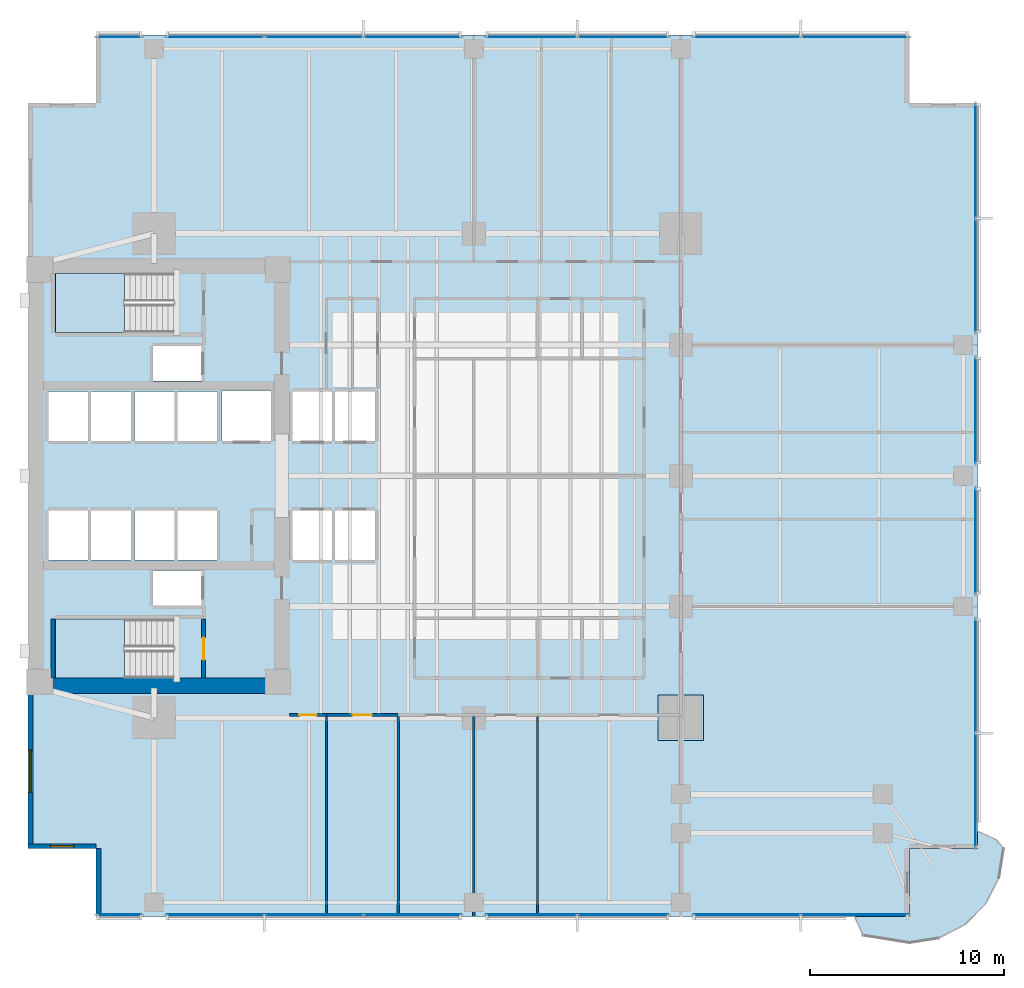
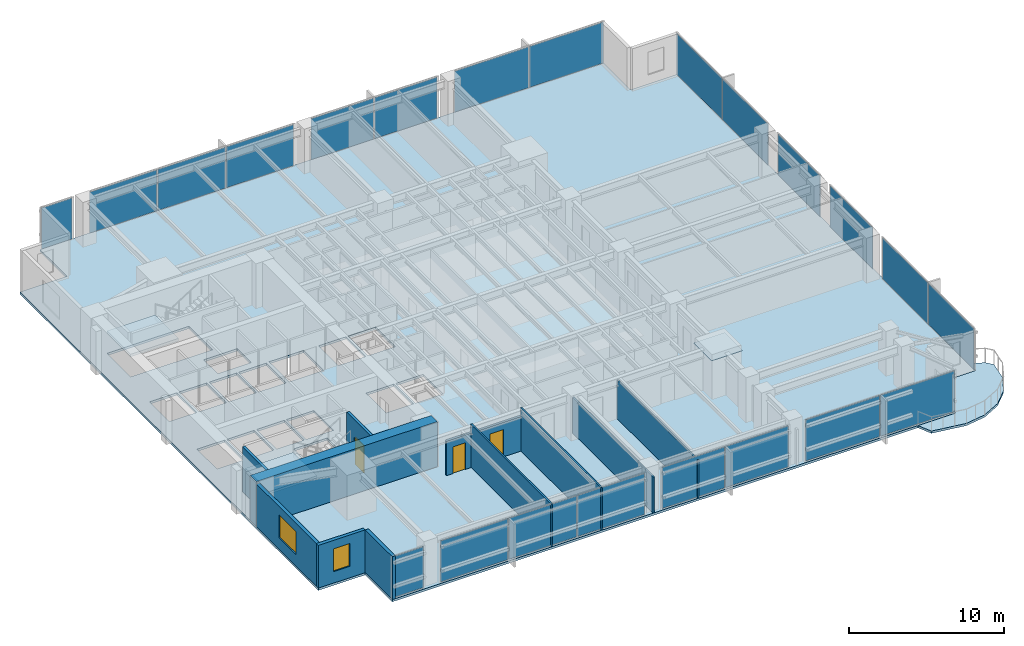
# One storey, part 7 of 15: 23 plates, 12 walls, 4 slabs, 3 doors, 2 windows, 5 openings, 14 elements without a shape of their own.
"""IFC4 building model written with IfcOpenShell, lengths in metres."""

import ifcopenshell
import ifcopenshell.guid

model = None  # the IFC model being written
_history = None  # IfcOwnerHistory: only IFC2X3 demands one
_inside = {}  # id of a spatial element -> (the spatial element, [elements in it])
_under = {}  # id of a project, library or spatial element -> (it, [spatial elements below it])
_declared = {}  # id of a project -> (the project, [libraries it declares])
_typed = {}  # id of a type object -> (the type object, [elements of that type])
_made_of = {}  # id of a material, layer set ... -> (it, [elements and type objects made of it])


def new_model(schema):
    """Start an empty IFC model of exactly this schema.

    Asked for "IFC4X3", IfcOpenShell would pick the latest addendum, in which some entities
    have other attributes; the version numbers below select the first issue.
    IFC2X3 requires an IfcOwnerHistory on every rooted entity: one is made here for all.
    """
    global model, _history
    if schema == "IFC4X3":
        model = ifcopenshell.file(schema_version=(4, 3, 0, 0))
    else:
        model = ifcopenshell.file(schema=schema)
    _inside.clear()
    _under.clear()
    _declared.clear()
    _typed.clear()
    _made_of.clear()
    _history = None
    if model.schema == "IFC2X3":
        org = make("IfcOrganization", Name="unknown")
        user = make(
            "IfcPersonAndOrganization",
            ThePerson=make("IfcPerson", FamilyName="unknown"),
            TheOrganization=org,
        )
        app = make(
            "IfcApplication",
            ApplicationDeveloper=org,
            Version="unknown",
            ApplicationFullName="unknown",
            ApplicationIdentifier="unknown",
        )
        _history = make(
            "IfcOwnerHistory",
            OwningUser=user,
            OwningApplication=app,
            ChangeAction="ADDED",
            CreationDate=0,
        )
    return model


def make(cls, **values):
    """One entity of the class cls with the attributes given. An attribute that is None is left unset."""
    return model.create_entity(
        cls, **{name: value for name, value in values.items() if value is not None}
    )


def rooted(cls, **values):
    """An entity with a GlobalId (a new one), such as an element, a storey or a relation."""
    return make(cls, GlobalId=ifcopenshell.guid.new(), OwnerHistory=_history, **values)


def si_unit(unit_type, name, prefix=None):
    """IfcSIUnit, for example si_unit("LENGTHUNIT", "METRE", prefix="MILLI")."""
    return make("IfcSIUnit", UnitType=unit_type, Prefix=prefix, Name=name)


def assignment(units):
    """IfcUnitAssignment: the units of a project."""
    return None if units is None else make("IfcUnitAssignment", Units=units)


def point(xyz):
    """IfcCartesianPoint."""
    return None if xyz is None else make("IfcCartesianPoint", Coordinates=xyz)


def direction(xyz):
    """IfcDirection."""
    return None if xyz is None else make("IfcDirection", DirectionRatios=xyz)


def frame(location, z_axis=None, x_axis=None):
    """IfcAxis2Placement3D, a coordinate frame: its origin and axes. An axis left out is left unset."""
    return make(
        "IfcAxis2Placement3D",
        Location=point(location),
        Axis=direction(z_axis),
        RefDirection=direction(x_axis),
    )


def frame_2d(location, x_axis=None):
    """IfcAxis2Placement2D, a coordinate frame in the plane: its origin and x axis."""
    return make(
        "IfcAxis2Placement2D", Location=point(location), RefDirection=direction(x_axis)
    )


def origin():
    """The frame at (0, 0, 0) with its axes left unset."""
    return frame((0.0, 0.0, 0.0))


def origin_2d():
    """The frame at (0, 0) in the plane with its x axis left unset."""
    return frame_2d((0.0, 0.0))


def place(relative_to, where):
    """IfcLocalPlacement: puts the frame where relative to a parent placement (None: the world)."""
    return make(
        "IfcLocalPlacement", PlacementRelTo=relative_to, RelativePlacement=where
    )


def context(
    kind, dimensions, precision=None, world=None, true_north=None, identifier=None
):
    """IfcGeometricRepresentationContext, for example the 3D "Model" context."""
    return make(
        "IfcGeometricRepresentationContext",
        ContextIdentifier=identifier,
        ContextType=kind,
        CoordinateSpaceDimension=dimensions,
        Precision=precision,
        WorldCoordinateSystem=world,
        TrueNorth=true_north,
    )


def subcontext(parent, identifier, kind, view, scale=None):
    """IfcGeometricRepresentationSubContext, for example "Body" below "Model"."""
    return make(
        "IfcGeometricRepresentationSubContext",
        ContextIdentifier=identifier,
        ContextType=kind,
        ParentContext=parent,
        TargetScale=scale,
        TargetView=view,
    )


def project(units=None, contexts=None):
    """IfcProject with its units and contexts."""
    return rooted(
        "IfcProject",
        Name="project",
        RepresentationContexts=contexts,
        UnitsInContext=assignment(units),
    )


def spatial(cls, under=None, at=None, **own):
    """A site, building, storey or space (cls), placed at a placement, below another one or the project."""
    s = rooted(cls, ObjectPlacement=at, **own)
    if under is not None:
        _under.setdefault(under.id(), (under, []))[1].append(s)
    return s


def polyline(points):
    """IfcPolyline through the points."""
    return make("IfcPolyline", Points=[point(p) for p in points])


def profile(cls, at=None, kind="AREA", **sizes):
    """A parametric profile (cls). Its sizes go by their IFC names, for example OverallWidth=200.0."""
    return make(cls, ProfileType=kind, Position=at, **sizes)


def rectangle(**sizes):
    """IfcRectangleProfileDef."""
    return profile("IfcRectangleProfileDef", **sizes)


def outline(outer, holes=None, kind="AREA"):
    """IfcArbitraryClosedProfileDef: a profile drawn as a closed curve; with holes, ...WithVoids."""
    if holes is None:
        return make("IfcArbitraryClosedProfileDef", ProfileType=kind, OuterCurve=outer)
    return make(
        "IfcArbitraryProfileDefWithVoids",
        ProfileType=kind,
        OuterCurve=outer,
        InnerCurves=holes,
    )


def extrude(swept, where, along, depth):
    """IfcExtrudedAreaSolid: the profile swept, set in the frame where, extruded along a direction by depth."""
    return make(
        "IfcExtrudedAreaSolid",
        SweptArea=swept,
        Position=where,
        ExtrudedDirection=direction(along),
        Depth=depth,
    )


def shape(context_of_items, identifier, shape_type, items):
    """IfcShapeRepresentation: the items that make up one representation, for example the "Body"."""
    return make(
        "IfcShapeRepresentation",
        ContextOfItems=context_of_items,
        RepresentationIdentifier=identifier,
        RepresentationType=shape_type,
        Items=items,
    )


def material(Name=None, Category=None):
    """IfcMaterial."""
    return make("IfcMaterial", Name=Name, Category=Category)


def layer(
    of_material, thickness, ventilated=None, Name=None, Category=None, Priority=None
):
    """IfcMaterialLayer: one layer of a wall or slab, of a material (None: an air gap)."""
    return make(
        "IfcMaterialLayer",
        Material=of_material,
        LayerThickness=thickness,
        IsVentilated=ventilated,
        Name=Name,
        Category=Category,
        Priority=Priority,
    )


def layer_set(layers, Name=None):
    """IfcMaterialLayerSet."""
    return make("IfcMaterialLayerSet", MaterialLayers=layers, LayerSetName=Name)


def made_of(thing, what):
    """Note that an element or type object is made of a material, layer set ...; save() writes the relation."""
    if what is not None:
        _made_of.setdefault(what.id(), (what, []))[1].append(thing)
    return thing


def type_object(cls, material=None, **own):
    """A type object (cls), such as IfcWallType, which elements share."""
    return made_of(rooted(cls, **own), material)


def element(
    cls,
    number,
    at=None,
    inside=None,
    cuts=None,
    type_object=None,
    material=None,
    context=None,
    identifier="Body",
    shape_type=None,
    held_by="IfcProductDefinitionShape",
    body=None,
    shapes=None,
    **own,
):
    """One element of the class cls, such as IfcWall. Its Tag is "e" and its number.

    at: its placement. inside: the storey or other place that contains it. cuts: it is an
    opening in that element (IfcRelVoidsElement). A single representation is given by context,
    identifier, shape_type and body (its items); several are given by shapes. held_by: the class
    of the entity that holds the representations. save() writes the other relations.
    """
    e = rooted(cls, Tag="e%d" % number, ObjectPlacement=at, **own)
    if body is not None:
        shapes = [shape(context, identifier, shape_type, body)]
    if shapes is not None:
        e.Representation = make(held_by, Representations=shapes)
    if inside is not None:
        _inside.setdefault(inside.id(), (inside, []))[1].append(e)
    if cuts is not None:
        rooted(
            "IfcRelVoidsElement", RelatingBuildingElement=cuts, RelatedOpeningElement=e
        )
    if type_object is not None:
        _typed.setdefault(type_object.id(), (type_object, []))[1].append(e)
    return made_of(e, material)


def fill(opening, filler):
    """IfcRelFillsElement: the door or window that sits in an opening."""
    return rooted(
        "IfcRelFillsElement",
        RelatingOpeningElement=opening,
        RelatedBuildingElement=filler,
    )


def aggregate(whole, parts):
    """IfcRelAggregates: a whole, such as a stair, and the parts it consists of."""
    return rooted("IfcRelAggregates", RelatingObject=whole, RelatedObjects=parts)


def save(model, path):
    """Write the relations noted so far, then the file.

    IfcRelAggregates (storeys below a building ...), IfcRelContainedInSpatialStructure (elements
    in a storey), IfcRelDefinesByType, IfcRelAssociatesMaterial and IfcRelDeclares: one each for
    every whole, place, type object, material and project.
    """
    for whole, parts in _under.values():
        aggregate(whole, parts)
    for where, things in _inside.values():
        rooted(
            "IfcRelContainedInSpatialStructure",
            RelatedElements=things,
            RelatingStructure=where,
        )
    for kind, things in _typed.values():
        rooted("IfcRelDefinesByType", RelatedObjects=things, RelatingType=kind)
    for what, things in _made_of.values():
        rooted("IfcRelAssociatesMaterial", RelatedObjects=things, RelatingMaterial=what)
    for by, libraries in _declared.values():
        rooted("IfcRelDeclares", RelatingContext=by, RelatedDefinitions=libraries)
    model.write(path)


model = new_model("IFC4")

# Units and contexts
model_context = context("Model", 3, precision=1e-05, world=origin(), true_north=direction((0.0, 1.0)))
body_context = subcontext(model_context, "Body", "Model", "MODEL_VIEW")
ifc_project = project(units=[si_unit("LENGTHUNIT", "METRE"), si_unit("AREAUNIT", "SQUARE_METRE"), si_unit("VOLUMEUNIT", "CUBIC_METRE"), si_unit("PLANEANGLEUNIT", "RADIAN"), si_unit("MASSUNIT", "GRAM", prefix="KILO")], contexts=[model_context])

# Site, building, storey
site_placement = place(None, origin())
site = spatial("IfcSite", under=ifc_project, at=site_placement, CompositionType="ELEMENT")
building_placement = place(site_placement, origin())
building = spatial("IfcBuilding", under=site, at=building_placement, Name="Kinhvarn Gate Tower", CompositionType="ELEMENT")
storey_placement = place(building_placement, frame((0.0, 0.0, 78.85009765625)))
storey = spatial("IfcBuildingStorey", under=building, at=storey_placement, Name="L20", CompositionType="ELEMENT", Elevation=78.85009765625)

# Curtain wall, plate
ifc_material_1 = material(Name="Anodised aluminium AW-6063", Category="aluminium")
ifc_layer_1 = layer(ifc_material_1, 0.179931640625)
ifc_layer_set_1 = layer_set([ifc_layer_1], Name="Anodised aluminium AW-6063")
curtain_wall_type = type_object("IfcCurtainWallType", Name="CW-SYS-2", PredefinedType="NOTDEFINED", material=ifc_layer_set_1)
curtain_wall_1_placement = place(storey_placement, origin())
curtain_wall_1 = element("IfcCurtainWall", 1, at=curtain_wall_1_placement, inside=storey, type_object=curtain_wall_type, Name="Curtain Wall CW2 (L20)", PredefinedType="NOTDEFINED")
ifc_material_2 = material(Name="Clear low-e double glazing", Category="glass")
ifc_layer_2 = layer(ifc_material_2, 0.031982421875)
ifc_layer_set_2 = layer_set([ifc_layer_2], Name="Clear low-e double glazing")
plate_type_1 = type_object("IfcPlateType", Name="CW-PNL-VIS", PredefinedType="CURTAIN_PANEL", material=ifc_layer_set_2)
plate_1_placement = place(storey_placement, frame((9.2099609375, 2.590087890625, 0.06982421875), z_axis=(0.0, 0.0, 1.0), x_axis=(1.0, 0.0, 0.0)))
plate_1 = element("IfcPlate", 2, at=plate_1_placement, type_object=plate_type_1, Name="CW2 panel 1.1", PredefinedType="CURTAIN_PANEL", context=body_context, shape_type="SweptSolid", body=[
    extrude(rectangle(XDim=2.280029296875, YDim=0.031982421875, at=origin_2d()), origin(), (0.0, 0.0, 1.0), 3.22998046875),
])
aggregate(curtain_wall_1, [plate_1])

# Curtain wall, plates
curtain_wall_2_placement = place(storey_placement, origin())
curtain_wall_2 = element("IfcCurtainWall", 3, at=curtain_wall_2_placement, inside=storey, type_object=curtain_wall_type, Name="Curtain Wall CW2 (L20)", PredefinedType="NOTDEFINED")
plate_2_placement = place(storey_placement, frame((14.154052734375, 2.590087890625, 0.06982421875), z_axis=(0.0, 0.0, 1.0), x_axis=(1.0, 0.0, 0.0)))
plate_2 = element("IfcPlate", 4, at=plate_2_placement, type_object=plate_type_1, Name="CW2 panel 1.1", PredefinedType="CURTAIN_PANEL", context=body_context, shape_type="SweptSolid", body=[
    extrude(rectangle(XDim=5.00830078125, YDim=0.031982421875, at=origin_2d()), origin(), (0.0, 0.0, 1.0), 3.22998046875),
])
plate_3_placement = place(storey_placement, frame((19.25, 2.590087890625, 0.06982421875), z_axis=(0.0, 0.0, 1.0), x_axis=(1.0, 0.0, 0.0)))
plate_3 = element("IfcPlate", 5, at=plate_3_placement, type_object=plate_type_1, Name="CW2 panel 2.1", PredefinedType="CURTAIN_PANEL", context=body_context, shape_type="SweptSolid", body=[
    extrude(rectangle(XDim=5.043212890625, YDim=0.031982421875, at=origin_2d()), origin(), (0.0, 0.0, 1.0), 3.22998046875),
])
plate_4_placement = place(storey_placement, frame((24.345947265625, 2.590087890625, 0.06982421875), z_axis=(0.0, 0.0, 1.0), x_axis=(1.0, 0.0, 0.0)))
plate_4 = element("IfcPlate", 6, at=plate_4_placement, type_object=plate_type_1, Name="CW2 panel 3.1", PredefinedType="CURTAIN_PANEL", context=body_context, shape_type="SweptSolid", body=[
    extrude(rectangle(XDim=5.00830078125, YDim=0.031982421875, at=origin_2d()), origin(), (0.0, 0.0, 1.0), 3.22998046875),
])
aggregate(curtain_wall_2, [plate_2, plate_3, plate_4])

curtain_wall_3_placement = place(storey_placement, origin())
curtain_wall_3 = element("IfcCurtainWall", 7, at=curtain_wall_3_placement, inside=storey, type_object=curtain_wall_type, Name="Curtain Wall CW2 (L20)", PredefinedType="NOTDEFINED")
plate_5_placement = place(storey_placement, frame((30.482421875, 2.590087890625, 0.06982421875), z_axis=(0.0, 0.0, 1.0), x_axis=(1.0, 0.0, 0.0)))
plate_5 = element("IfcPlate", 8, at=plate_5_placement, type_object=plate_type_1, Name="CW2 panel 1.1", PredefinedType="CURTAIN_PANEL", context=body_context, shape_type="SweptSolid", body=[
    extrude(rectangle(XDim=4.6650390625, YDim=0.031982421875, at=origin_2d()), origin(), (0.0, 0.0, 1.0), 3.22998046875),
])
plate_6_placement = place(storey_placement, frame((35.217529296875, 2.590087890625, 0.06982421875), z_axis=(0.0, 0.0, 1.0), x_axis=(1.0, 0.0, 0.0)))
plate_6 = element("IfcPlate", 9, at=plate_6_placement, type_object=plate_type_1, Name="CW2 panel 2.1", PredefinedType="CURTAIN_PANEL", context=body_context, shape_type="SweptSolid", body=[
    extrude(rectangle(XDim=4.6650390625, YDim=0.031982421875, at=origin_2d()), origin(), (0.0, 0.0, 1.0), 3.22998046875),
])
aggregate(curtain_wall_3, [plate_5, plate_6])

curtain_wall_4_placement = place(storey_placement, origin())
curtain_wall_4 = element("IfcCurtainWall", 10, at=curtain_wall_4_placement, inside=storey, type_object=curtain_wall_type, Name="Curtain Wall CW2 (L20)", PredefinedType="NOTDEFINED")
plate_7_placement = place(storey_placement, frame((41.6025390625, 2.590087890625, 0.06982421875), z_axis=(0.0, 0.0, 1.0), x_axis=(1.0, 0.0, 0.0)))
plate_7 = element("IfcPlate", 11, at=plate_7_placement, type_object=plate_type_1, Name="CW2 panel 1.1", PredefinedType="CURTAIN_PANEL", context=body_context, shape_type="SweptSolid", body=[
    extrude(rectangle(XDim=5.5048828125, YDim=0.031982421875, at=origin_2d()), origin(), (0.0, 0.0, 1.0), 3.22998046875),
])
plate_8_placement = place(storey_placement, frame((47.177490234375, 2.590087890625, 0.06982421875), z_axis=(0.0, 0.0, 1.0), x_axis=(1.0, 0.0, 0.0)))
plate_8 = element("IfcPlate", 12, at=plate_8_placement, type_object=plate_type_1, Name="CW2 panel 2.1", PredefinedType="CURTAIN_PANEL", context=body_context, shape_type="SweptSolid", body=[
    extrude(rectangle(XDim=5.5048828125, YDim=0.031982421875, at=origin_2d()), origin(), (0.0, 0.0, 1.0), 3.22998046875),
])
aggregate(curtain_wall_4, [plate_7, plate_8])

curtain_wall_5_placement = place(storey_placement, origin())
curtain_wall_5 = element("IfcCurtainWall", 13, at=curtain_wall_5_placement, inside=storey, type_object=curtain_wall_type, Name="Curtain Wall CW2 (L20)", PredefinedType="NOTDEFINED")
plate_9_placement = place(storey_placement, frame((47.177490234375, 47.909912109375, 0.06982421875), z_axis=(0.0, 0.0, 1.0), x_axis=(-1.0, 0.0, 0.0)))
plate_9 = element("IfcPlate", 14, at=plate_9_placement, type_object=plate_type_1, Name="CW2 panel 1.1", PredefinedType="CURTAIN_PANEL", context=body_context, shape_type="SweptSolid", body=[
    extrude(rectangle(XDim=5.5048828125, YDim=0.031982421875, at=origin_2d()), origin(), (0.0, 0.0, 1.0), 3.22998046875),
])
plate_10_placement = place(storey_placement, frame((41.6025390625, 47.909912109375, 0.06982421875), z_axis=(0.0, 0.0, 1.0), x_axis=(-1.0, 0.0, 0.0)))
plate_10 = element("IfcPlate", 15, at=plate_10_placement, type_object=plate_type_1, Name="CW2 panel 2.1", PredefinedType="CURTAIN_PANEL", context=body_context, shape_type="SweptSolid", body=[
    extrude(rectangle(XDim=5.5048828125, YDim=0.031982421875, at=origin_2d()), origin(), (0.0, 0.0, 1.0), 3.22998046875),
])
aggregate(curtain_wall_5, [plate_9, plate_10])

curtain_wall_6_placement = place(storey_placement, origin())
curtain_wall_6 = element("IfcCurtainWall", 16, at=curtain_wall_6_placement, inside=storey, type_object=curtain_wall_type, Name="Curtain Wall CW2 (L20)", PredefinedType="NOTDEFINED")
plate_11_placement = place(storey_placement, frame((35.217529296875, 47.909912109375, 0.06982421875), z_axis=(0.0, 0.0, 1.0), x_axis=(-1.0, 0.0, 0.0)))
plate_11 = element("IfcPlate", 17, at=plate_11_placement, type_object=plate_type_1, Name="CW2 panel 1.1", PredefinedType="CURTAIN_PANEL", context=body_context, shape_type="SweptSolid", body=[
    extrude(rectangle(XDim=4.6650390625, YDim=0.031982421875, at=origin_2d()), origin(), (0.0, 0.0, 1.0), 3.22998046875),
])
plate_12_placement = place(storey_placement, frame((30.482421875, 47.909912109375, 0.06982421875), z_axis=(0.0, 0.0, 1.0), x_axis=(-1.0, 0.0, 0.0)))
plate_12 = element("IfcPlate", 18, at=plate_12_placement, type_object=plate_type_1, Name="CW2 panel 2.1", PredefinedType="CURTAIN_PANEL", context=body_context, shape_type="SweptSolid", body=[
    extrude(rectangle(XDim=4.6650390625, YDim=0.031982421875, at=origin_2d()), origin(), (0.0, 0.0, 1.0), 3.22998046875),
])
aggregate(curtain_wall_6, [plate_11, plate_12])

curtain_wall_7_placement = place(storey_placement, origin())
curtain_wall_7 = element("IfcCurtainWall", 19, at=curtain_wall_7_placement, inside=storey, type_object=curtain_wall_type, Name="Curtain Wall CW2 (L20)", PredefinedType="NOTDEFINED")
plate_13_placement = place(storey_placement, frame((24.345947265625, 47.909912109375, 0.06982421875), z_axis=(0.0, 0.0, 1.0), x_axis=(-1.0, 0.0, 0.0)))
plate_13 = element("IfcPlate", 20, at=plate_13_placement, type_object=plate_type_1, Name="CW2 panel 1.1", PredefinedType="CURTAIN_PANEL", context=body_context, shape_type="SweptSolid", body=[
    extrude(rectangle(XDim=5.00830078125, YDim=0.031982421875, at=origin_2d()), origin(), (0.0, 0.0, 1.0), 3.22998046875),
])
plate_14_placement = place(storey_placement, frame((19.25, 47.909912109375, 0.06982421875), z_axis=(0.0, 0.0, 1.0), x_axis=(-1.0, 0.0, 0.0)))
plate_14 = element("IfcPlate", 21, at=plate_14_placement, type_object=plate_type_1, Name="CW2 panel 2.1", PredefinedType="CURTAIN_PANEL", context=body_context, shape_type="SweptSolid", body=[
    extrude(rectangle(XDim=5.043212890625, YDim=0.031982421875, at=origin_2d()), origin(), (0.0, 0.0, 1.0), 3.22998046875),
])
plate_15_placement = place(storey_placement, frame((14.154052734375, 47.909912109375, 0.06982421875), z_axis=(0.0, 0.0, 1.0), x_axis=(-1.0, 0.0, 0.0)))
plate_15 = element("IfcPlate", 22, at=plate_15_placement, type_object=plate_type_1, Name="CW2 panel 3.1", PredefinedType="CURTAIN_PANEL", context=body_context, shape_type="SweptSolid", body=[
    extrude(rectangle(XDim=5.00830078125, YDim=0.031982421875, at=origin_2d()), origin(), (0.0, 0.0, 1.0), 3.22998046875),
])
aggregate(curtain_wall_7, [plate_13, plate_14, plate_15])

# Curtain wall, plate
curtain_wall_8_placement = place(storey_placement, origin())
curtain_wall_8 = element("IfcCurtainWall", 23, at=curtain_wall_8_placement, inside=storey, type_object=curtain_wall_type, Name="Curtain Wall CW2 (L20)", PredefinedType="NOTDEFINED")
plate_16_placement = place(storey_placement, frame((9.2099609375, 47.909912109375, 0.06982421875), z_axis=(0.0, 0.0, 1.0), x_axis=(-1.0, 0.0, 0.0)))
plate_16 = element("IfcPlate", 24, at=plate_16_placement, type_object=plate_type_1, Name="CW2 panel 1.1", PredefinedType="CURTAIN_PANEL", context=body_context, shape_type="SweptSolid", body=[
    extrude(rectangle(XDim=2.280029296875, YDim=0.031982421875, at=origin_2d()), origin(), (0.0, 0.0, 1.0), 3.22998046875),
])
aggregate(curtain_wall_8, [plate_16])

# Curtain wall, plates
curtain_wall_9_placement = place(storey_placement, origin())
curtain_wall_9 = element("IfcCurtainWall", 25, at=curtain_wall_9_placement, inside=storey, type_object=curtain_wall_type, Name="Curtain Wall CW2 (L20)", PredefinedType="NOTDEFINED")
plate_17_placement = place(storey_placement, frame((53.409912109375, 8.99755859375, 0.06982421875), z_axis=(0.0, 0.0, 1.0), x_axis=(0.0, 1.0, 0.0)))
plate_17 = element("IfcPlate", 26, at=plate_17_placement, type_object=plate_type_1, Name="CW2 panel 1.1", PredefinedType="CURTAIN_PANEL", context=body_context, shape_type="SweptSolid", body=[
    extrude(rectangle(XDim=5.85498046875, YDim=0.031982421875, at=origin_2d()), origin(), (0.0, 0.0, 1.0), 3.22998046875),
])
plate_18_placement = place(storey_placement, frame((53.409912109375, 14.922607421875, 0.06982421875), z_axis=(0.0, 0.0, 1.0), x_axis=(0.0, 1.0, 0.0)))
plate_18 = element("IfcPlate", 27, at=plate_18_placement, type_object=plate_type_1, Name="CW2 panel 2.1", PredefinedType="CURTAIN_PANEL", context=body_context, shape_type="SweptSolid", body=[
    extrude(rectangle(XDim=5.85498046875, YDim=0.031982421875, at=origin_2d()), origin(), (0.0, 0.0, 1.0), 3.22998046875),
])
aggregate(curtain_wall_9, [plate_17, plate_18])

# Curtain wall, plate
curtain_wall_10_placement = place(storey_placement, origin())
curtain_wall_10 = element("IfcCurtainWall", 28, at=curtain_wall_10_placement, inside=storey, type_object=curtain_wall_type, Name="Curtain Wall CW2 (L20)", PredefinedType="NOTDEFINED")
plate_19_placement = place(storey_placement, frame((53.409912109375, 21.875, 0.06982421875), z_axis=(0.0, 0.0, 1.0), x_axis=(0.0, 1.0, 0.0)))
plate_19 = element("IfcPlate", 29, at=plate_19_placement, type_object=plate_type_1, Name="CW2 panel 1.1", PredefinedType="CURTAIN_PANEL", context=body_context, shape_type="SweptSolid", body=[
    extrude(rectangle(XDim=5.449951171875, YDim=0.031982421875, at=origin_2d()), origin(), (0.0, 0.0, 1.0), 3.22998046875),
])
aggregate(curtain_wall_10, [plate_19])

curtain_wall_11_placement = place(storey_placement, origin())
curtain_wall_11 = element("IfcCurtainWall", 30, at=curtain_wall_11_placement, inside=storey, type_object=curtain_wall_type, Name="Curtain Wall CW2 (L20)", PredefinedType="NOTDEFINED")
plate_20_placement = place(storey_placement, frame((53.409912109375, 28.625, 0.06982421875), z_axis=(0.0, 0.0, 1.0), x_axis=(0.0, 1.0, 0.0)))
plate_20 = element("IfcPlate", 31, at=plate_20_placement, type_object=plate_type_1, Name="CW2 panel 1.1", PredefinedType="CURTAIN_PANEL", context=body_context, shape_type="SweptSolid", body=[
    extrude(rectangle(XDim=5.449951171875, YDim=0.031982421875, at=origin_2d()), origin(), (0.0, 0.0, 1.0), 3.22998046875),
])
aggregate(curtain_wall_11, [plate_20])

# Curtain wall, plates
curtain_wall_12_placement = place(storey_placement, origin())
curtain_wall_12 = element("IfcCurtainWall", 32, at=curtain_wall_12_placement, inside=storey, type_object=curtain_wall_type, Name="Curtain Wall CW2 (L20)", PredefinedType="NOTDEFINED")
plate_21_placement = place(storey_placement, frame((53.409912109375, 35.577392578125, 0.06982421875), z_axis=(0.0, 0.0, 1.0), x_axis=(0.0, 1.0, 0.0)))
plate_21 = element("IfcPlate", 33, at=plate_21_placement, type_object=plate_type_1, Name="CW2 panel 1.1", PredefinedType="CURTAIN_PANEL", context=body_context, shape_type="SweptSolid", body=[
    extrude(rectangle(XDim=5.85498046875, YDim=0.031982421875, at=origin_2d()), origin(), (0.0, 0.0, 1.0), 3.22998046875),
])
plate_22_placement = place(storey_placement, frame((53.409912109375, 41.50244140625, 0.06982421875), z_axis=(0.0, 0.0, 1.0), x_axis=(0.0, 1.0, 0.0)))
plate_22 = element("IfcPlate", 34, at=plate_22_placement, type_object=plate_type_1, Name="CW2 panel 2.1", PredefinedType="CURTAIN_PANEL", context=body_context, shape_type="SweptSolid", body=[
    extrude(rectangle(XDim=5.85498046875, YDim=0.031982421875, at=origin_2d()), origin(), (0.0, 0.0, 1.0), 3.22998046875),
])
aggregate(curtain_wall_12, [plate_21, plate_22])

# Plate
ifc_material_3 = material(Name="Steel S355", Category="steel")
ifc_layer_3 = layer(ifc_material_3, 0.031982421875)
ifc_layer_set_3 = layer_set([ifc_layer_3], Name="Steel S355")
plate_type_2 = type_object("IfcPlateType", Name="PLT-NODE-KN3", PredefinedType="USERDEFINED", material=ifc_layer_set_3)
plate_23_placement = place(storey_placement, frame((0.0, 0.0, 3.10400390625)))
element("IfcPlate", 35, at=plate_23_placement, inside=storey, type_object=plate_type_2, Name="Structural Node Cap Plate KN3", ObjectType="GUSSET_PLATE", PredefinedType="USERDEFINED", context=body_context, shape_type="SweptSolid", body=[
    extrude(outline(polyline([(37.030029296875, 11.580078125), (39.3701171875, 11.580078125), (39.3701171875, 13.919921875), (37.030029296875, 13.919921875), (37.030029296875, 11.580078125)])), origin(), (0.0, 0.0, 1.0), 0.031982421875),
])

# Slabs
ifc_material_4 = material(Name="Precast white architectural concrete C40/50", Category="concrete")
ifc_layer_4 = layer(ifc_material_4, 0.179931640625)
ifc_layer_set_4 = layer_set([ifc_layer_4], Name="Precast white architectural concrete C40/50")
slab_type_1 = type_object("IfcSlabType", Name="SLB-BAL-180", PredefinedType="FLOOR", material=ifc_layer_set_4)
slab_1_placement = place(storey_placement, frame((0.0, 0.0, -0.18017578125)))
element("IfcSlab", 36, at=slab_1_placement, inside=storey, type_object=slab_type_1, Name="S-Carve Curved Terrace Balcony Slab L20 (SE)", PredefinedType="FLOOR", context=body_context, shape_type="SweptSolid", body=[
    extrude(outline(polyline([(47.1630859375, 2.5), (47.613037109375, 1.523681640625), (50.0, 1.14404296875), (51.50048828125, 1.381591796875), (52.854248046875, 2.0712890625), (53.9287109375, 3.145751953125), (54.618408203125, 4.49951171875), (54.85595703125, 6.0), (54.476318359375, 6.4609375), (53.5, 6.910888671875), (53.5, 6.0), (50.0, 6.0), (50.0, 2.5), (47.1630859375, 2.5)])), origin(), (0.0, 0.0, 1.0), 0.18017578125),
])
ifc_material_5 = material(Name="Concrete C40/50", Category="concrete")
ifc_layer_5 = layer(ifc_material_5, 0.179931640625)
ifc_layer_set_5 = layer_set([ifc_layer_5], Name="Concrete C40/50")
slab_type_2 = type_object("IfcSlabType", Name="SLB-FLR-180", PredefinedType="FLOOR", material=ifc_layer_set_5)
slab_2_placement = place(storey_placement, frame((0.0, 0.0, -0.18017578125)))
element("IfcSlab", 37, at=slab_2_placement, inside=storey, type_object=slab_type_2, Name="Suspended Floor Slab L20", PredefinedType="FLOOR", context=body_context, shape_type="SweptSolid", body=[
    extrude(outline(polyline([(8.0, 2.5), (50.0, 2.5), (50.0, 6.0), (53.5, 6.0), (53.5, 44.5), (50.0, 44.5), (50.0, 48.0), (8.0, 48.0), (8.0, 44.5), (4.5, 44.5), (4.5, 6.0), (8.0, 6.0), (8.0, 2.5)]), holes=[polyline([(5.89990234375, 14.800048828125), (12.0, 14.800048828125), (12.0, 17.85009765625), (5.89990234375, 17.85009765625), (5.89990234375, 14.800048828125)]), polyline([(5.89990234375, 32.64990234375), (12.0, 32.64990234375), (12.0, 35.699951171875), (5.89990234375, 35.699951171875), (5.89990234375, 32.64990234375)]), polyline([(18.14990234375, 20.89990234375), (20.199951171875, 20.89990234375), (20.199951171875, 23.449951171875), (18.14990234375, 23.449951171875), (18.14990234375, 20.89990234375)]), polyline([(20.35009765625, 20.89990234375), (22.39990234375, 20.89990234375), (22.39990234375, 23.449951171875), (20.35009765625, 23.449951171875), (20.35009765625, 20.89990234375)]), polyline([(18.14990234375, 27.050048828125), (20.199951171875, 27.050048828125), (20.199951171875, 29.60009765625), (18.14990234375, 29.60009765625), (18.14990234375, 27.050048828125)]), polyline([(20.35009765625, 27.050048828125), (22.39990234375, 27.050048828125), (22.39990234375, 29.60009765625), (20.35009765625, 29.60009765625), (20.35009765625, 27.050048828125)]), polyline([(5.550048828125, 20.89990234375), (7.60009765625, 20.89990234375), (7.60009765625, 23.449951171875), (5.550048828125, 23.449951171875), (5.550048828125, 20.89990234375)]), polyline([(7.75, 20.89990234375), (9.800048828125, 20.89990234375), (9.800048828125, 23.449951171875), (7.75, 23.449951171875), (7.75, 20.89990234375)]), polyline([(5.550048828125, 27.050048828125), (7.60009765625, 27.050048828125), (7.60009765625, 29.60009765625), (5.550048828125, 29.60009765625), (5.550048828125, 27.050048828125)]), polyline([(7.75, 27.050048828125), (9.800048828125, 27.050048828125), (9.800048828125, 29.60009765625), (7.75, 29.60009765625), (7.75, 27.050048828125)]), polyline([(10.0, 20.89990234375), (12.050048828125, 20.89990234375), (12.050048828125, 23.449951171875), (10.0, 23.449951171875), (10.0, 20.89990234375)]), polyline([(12.199951171875, 20.89990234375), (14.25, 20.89990234375), (14.25, 23.449951171875), (12.199951171875, 23.449951171875), (12.199951171875, 20.89990234375)]), polyline([(10.0, 27.050048828125), (12.050048828125, 27.050048828125), (12.050048828125, 29.60009765625), (10.0, 29.60009765625), (10.0, 27.050048828125)]), polyline([(12.199951171875, 27.050048828125), (14.25, 27.050048828125), (14.25, 29.60009765625), (12.199951171875, 29.60009765625), (12.199951171875, 27.050048828125)]), polyline([(14.5, 27.050048828125), (17.050048828125, 27.050048828125), (17.050048828125, 29.64990234375), (14.5, 29.64990234375), (14.5, 27.050048828125)]), polyline([(10.949951171875, 18.550048828125), (13.449951171875, 18.550048828125), (13.449951171875, 20.35009765625), (10.949951171875, 20.35009765625), (10.949951171875, 18.550048828125)]), polyline([(10.949951171875, 30.14990234375), (13.449951171875, 30.14990234375), (13.449951171875, 31.949951171875), (10.949951171875, 31.949951171875), (10.949951171875, 30.14990234375)])]), origin(), (0.0, 0.0, 1.0), 0.18017578125),
])

# Stair, slab
stair_type = type_object("IfcStairType", Name="STR-DLG-178", PredefinedType="HALF_TURN_STAIR", material=ifc_material_5)
stair_1_placement = place(storey_placement, origin())
stair_1 = element("IfcStair", 38, at=stair_1_placement, inside=storey, type_object=stair_type, Name="L20 Core Smokeproof Exit Stair ST1", PredefinedType="HALF_TURN_STAIR")
ifc_layer_6 = layer(ifc_material_5, 0.199951171875)
ifc_layer_set_6 = layer_set([ifc_layer_6], Name="Concrete C40/50")
slab_type_3 = type_object("IfcSlabType", Name="SLB-ST-LND", PredefinedType="LANDING", material=ifc_layer_set_6)
slab_3_placement = place(storey_placement, frame((0.0, 0.0, 1.574951171875)))
slab_3 = element("IfcSlab", 39, at=slab_3_placement, type_object=slab_type_3, Name="ST1 landing 1", PredefinedType="LANDING", context=body_context, shape_type="SweptSolid", body=[
    extrude(outline(polyline([(9.47998046875, 17.85009765625), (5.89990234375, 17.85009765625), (5.89990234375, 14.800048828125), (9.47998046875, 14.800048828125), (9.47998046875, 17.85009765625)])), origin(), (0.0, 0.0, 1.0), 0.199951171875),
])
aggregate(stair_1, [slab_3])

stair_2_placement = place(storey_placement, origin())
stair_2 = element("IfcStair", 40, at=stair_2_placement, inside=storey, type_object=stair_type, Name="L20 Core Smokeproof Exit Stair ST2", PredefinedType="HALF_TURN_STAIR")
slab_4_placement = place(storey_placement, frame((0.0, 0.0, 1.574951171875)))
slab_4 = element("IfcSlab", 41, at=slab_4_placement, type_object=slab_type_3, Name="ST2 landing 1", PredefinedType="LANDING", context=body_context, shape_type="SweptSolid", body=[
    extrude(outline(polyline([(9.47998046875, 35.699951171875), (5.89990234375, 35.699951171875), (5.89990234375, 32.64990234375), (9.47998046875, 32.64990234375), (9.47998046875, 35.699951171875)])), origin(), (0.0, 0.0, 1.0), 0.199951171875),
])
aggregate(stair_2, [slab_4])

# Wall
ifc_material_6 = material(Name="Concrete C70/85", Category="concrete")
ifc_layer_7 = layer(ifc_material_6, 0.800048828125)
ifc_layer_set_7 = layer_set([ifc_layer_7], Name="Concrete C70/85")
wall_type_1 = type_object("IfcWallType", Name="WL-CORE-800", PredefinedType="SHEAR", material=ifc_layer_set_7)
wall_1_placement = place(storey_placement, frame((4.5, 14.39990234375, 0.0), z_axis=(0.0, 0.0, 1.0), x_axis=(1.0, 0.0, 0.0)))
element("IfcWall", 42, at=wall_1_placement, inside=storey, type_object=wall_type_1, Name="Core South Shear Wall L20 800 mm", PredefinedType="SHEAR", context=body_context, shape_type="SweptSolid", body=[
    extrude(rectangle(XDim=13.5, YDim=0.800048828125, at=frame_2d((6.75, 0.0))), origin(), (0.0, 0.0, 1.0), 3.5498046875),
])

# Wall, opening, window
ifc_material_7 = material(Name="Fired architectural terracotta", Category="masonry")
ifc_layer_8 = layer(ifc_material_7, 0.25)
ifc_layer_set_8 = layer_set([ifc_layer_8], Name="Fired architectural terracotta")
wall_type_2 = type_object("IfcWallType", Name="WL-EXT-250", PredefinedType="SOLIDWALL", material=ifc_layer_set_8)
wall_2_placement = place(storey_placement, frame((4.625, 14.0, 0.0), z_axis=(0.0, 0.0, 1.0), x_axis=(0.0, -1.0, 0.0)))
wall_2 = element("IfcWall", 43, at=wall_2_placement, inside=storey, type_object=wall_type_2, Name="Exterior Solidwall Wall EW-250 (L20 West-South)", PredefinedType="SOLIDWALL", context=body_context, shape_type="SweptSolid", body=[
    extrude(rectangle(XDim=8.0, YDim=0.25, at=frame_2d((4.0, 0.0))), origin(), (0.0, 0.0, 1.0), 3.369873046875),
])
opening_1_placement = place(wall_2_placement, frame((2.89990234375, 0.0, 0.89990234375)))
opening_1 = element("IfcOpeningElement", 44, at=opening_1_placement, cuts=wall_2, Name="Opening WN-01", PredefinedType="OPENING", context=body_context, shape_type="SweptSolid", body=[
    extrude(rectangle(XDim=2.199951171875, YDim=1.800048828125, at=frame_2d((1.10009765625, 0.89990234375))), frame((0.0, 0.135009765625, 0.0), z_axis=(0.0, -1.0, 0.0), x_axis=(1.0, 0.0, 0.0)), (0.0, 0.0, 1.0), 0.27001953125),
])
window_type_1 = type_object("IfcWindowType", Name="WIN-RIB-2200", PartitioningType="SINGLE_PANEL", PredefinedType="WINDOW", material=ifc_material_2)
window_1_placement = place(opening_1_placement, origin())
window_1 = element("IfcWindow", 45, at=window_1_placement, inside=storey, type_object=window_type_1, Name="West Flank Double-Glazed Ribbon Window 2200x1800 mm (L20)", OverallHeight=1.800048828125, OverallWidth=2.199951171875, PartitioningType="SINGLE_PANEL", PredefinedType="WINDOW", context=body_context, shape_type="SweptSolid", body=[
    extrude(rectangle(XDim=2.199951171875, YDim=1.800048828125, at=frame_2d((1.10009765625, 0.89990234375))), frame((0.0, 0.030029296875, 0.0), z_axis=(0.0, -1.0, 0.0), x_axis=(1.0, 0.0, 0.0)), (0.0, 0.0, 1.0), 0.06005859375),
])
fill(opening_1, window_1)

wall_3_placement = place(storey_placement, frame((4.5, 6.125, 0.0), z_axis=(0.0, 0.0, 1.0), x_axis=(1.0, 0.0, 0.0)))
wall_3 = element("IfcWall", 46, at=wall_3_placement, inside=storey, type_object=wall_type_2, Name="Exterior Solidwall Wall EW-250 (L20 SW-Notch-1)", PredefinedType="SOLIDWALL", context=body_context, shape_type="SweptSolid", body=[
    extrude(rectangle(XDim=3.5, YDim=0.25, at=frame_2d((1.75, 0.0))), origin(), (0.0, 0.0, 1.0), 3.369873046875),
])
opening_2_placement = place(wall_3_placement, frame((1.14990234375, 0.0, 0.89990234375)))
opening_2 = element("IfcOpeningElement", 47, at=opening_2_placement, cuts=wall_3, Name="Opening WN-02", PredefinedType="OPENING", context=body_context, shape_type="SweptSolid", body=[
    extrude(rectangle(XDim=1.199951171875, YDim=1.800048828125, at=frame_2d((0.60009765625, 0.89990234375))), frame((0.0, 0.135009765625, 0.0), z_axis=(0.0, -1.0, 0.0), x_axis=(1.0, 0.0, 0.0)), (0.0, 0.0, 1.0), 0.27001953125),
])
window_type_2 = type_object("IfcWindowType", Name="WIN-NTC-1200", PartitioningType="SINGLE_PANEL", PredefinedType="WINDOW", material=ifc_material_2)
window_2_placement = place(opening_2_placement, origin())
window_2 = element("IfcWindow", 48, at=window_2_placement, inside=storey, type_object=window_type_2, Name="Recessed Corner Notch Punched Window 1200x1800 mm (L20)", OverallHeight=1.800048828125, OverallWidth=1.199951171875, PartitioningType="SINGLE_PANEL", PredefinedType="WINDOW", context=body_context, shape_type="SweptSolid", body=[
    extrude(rectangle(XDim=1.199951171875, YDim=1.800048828125, at=frame_2d((0.60009765625, 0.89990234375))), frame((0.0, 0.030029296875, 0.0), z_axis=(0.0, -1.0, 0.0), x_axis=(1.0, 0.0, 0.0)), (0.0, 0.0, 1.0), 0.06005859375),
])
fill(opening_2, window_2)

# Walls
wall_4_placement = place(storey_placement, frame((8.125, 6.0, 0.0), z_axis=(0.0, 0.0, 1.0), x_axis=(0.0, -1.0, 0.0)))
element("IfcWall", 49, at=wall_4_placement, inside=storey, type_object=wall_type_2, Name="Exterior Solidwall Wall EW-250 (L20 SW-Notch-2)", PredefinedType="SOLIDWALL", context=body_context, shape_type="SweptSolid", body=[
    extrude(rectangle(XDim=3.5, YDim=0.25, at=frame_2d((1.75, 0.0))), origin(), (0.0, 0.0, 1.0), 3.369873046875),
])
ifc_material_8 = material(Name="Gypsum acoustic partition board")
ifc_layer_9 = layer(ifc_material_8, 0.1201171875)
ifc_layer_set_9 = layer_set([ifc_layer_9], Name="Gypsum acoustic partition board")
wall_type_3 = type_object("IfcWallType", Name="WL-PRT-120", PredefinedType="PARTITIONING", material=ifc_layer_set_9)
for number, where, z_axis, x_axis, name in (
    (50, (19.89990234375, 2.510009765625, 0.0), (0.0, 0.0, 1.0), (0.0, 1.0, 0.0), "Interior Partition PW-120 (L20)"),
    (51, (23.60009765625, 2.510009765625, 0.0), (0.0, 0.0, 1.0), (0.0, 1.0, 0.0), "Interior Partition PW-120 (L20)"),
):
    element("IfcWall", number, at=place(storey_placement, frame(where, z_axis=z_axis, x_axis=x_axis)), inside=storey, type_object=wall_type_3, Name=name, PredefinedType="PARTITIONING", context=body_context, shape_type="SweptSolid", body=[
        extrude(rectangle(XDim=10.389892578125, YDim=0.1201171875, at=frame_2d((5.19482421875, 0.0))), origin(), (0.0, 0.0, 1.0), 3.369873046875),
    ])
wall_5_placement = place(storey_placement, frame((27.5, 2.510009765625, 0.0), z_axis=(0.0, 0.0, 1.0), x_axis=(0.0, 1.0, 0.0)))
element("IfcWall", 52, at=wall_5_placement, inside=storey, type_object=wall_type_3, Name="Interior Partition PW-120 (L20)", PredefinedType="PARTITIONING", context=body_context, shape_type="SweptSolid", body=[
    extrude(rectangle(XDim=10.389892578125, YDim=0.1201171875, at=frame_2d((5.19482421875, 0.0))), origin(), (0.0, 0.0, 1.0), 2.81982421875),
])
wall_6_placement = place(storey_placement, frame((30.800048828125, 2.510009765625, 0.0), z_axis=(0.0, 0.0, 1.0), x_axis=(0.0, 1.0, 0.0)))
element("IfcWall", 53, at=wall_6_placement, inside=storey, type_object=wall_type_3, Name="Interior Partition PW-120 (L20)", PredefinedType="PARTITIONING", context=body_context, shape_type="SweptSolid", body=[
    extrude(rectangle(XDim=10.389892578125, YDim=0.1201171875, at=frame_2d((5.19482421875, 0.0))), origin(), (0.0, 0.0, 1.0), 3.010009765625),
])

# Wall, opening, door
ifc_layer_10 = layer(ifc_material_8, 0.14990234375)
ifc_layer_set_10 = layer_set([ifc_layer_10], Name="Gypsum acoustic partition board")
wall_type_4 = type_object("IfcWallType", Name="WL-PRT-150F", PredefinedType="PARTITIONING", material=ifc_layer_set_10)
wall_7_placement = place(storey_placement, frame((18.0, 12.89990234375, 0.0), z_axis=(0.0, 0.0, 1.0), x_axis=(1.0, 0.0, 0.0)))
wall_7 = element("IfcWall", 54, at=wall_7_placement, inside=storey, type_object=wall_type_4, Name="Interior Partition PW-150F (L20)", PredefinedType="PARTITIONING", context=body_context, shape_type="SweptSolid", body=[
    extrude(rectangle(XDim=1.89990234375, YDim=0.14990234375, at=frame_2d((0.949951171875, 0.0))), origin(), (0.0, 0.0, 1.0), 2.719970703125),
])
opening_3_placement = place(wall_7_placement, frame((0.5, 0.0, 0.0)))
opening_3 = element("IfcOpeningElement", 55, at=opening_3_placement, cuts=wall_7, Name="Opening ID-03", PredefinedType="OPENING", context=body_context, shape_type="SweptSolid", body=[
    extrude(rectangle(XDim=0.89990234375, YDim=2.10009765625, at=frame_2d((0.449951171875, 1.050048828125))), frame((0.0, 0.0849609375, 0.0), z_axis=(0.0, -1.0, 0.0), x_axis=(1.0, 0.0, 0.0)), (0.0, 0.0, 1.0), 0.169921875),
])
door_type_1 = type_object("IfcDoorType", Name="DR-INT-900", OperationType="NOTDEFINED", PredefinedType="DOOR", material=ifc_material_1)
door_1_placement = place(opening_3_placement, origin())
door_1 = element("IfcDoor", 56, at=door_1_placement, inside=storey, type_object=door_type_1, Name="Cellular Office & Restroom Door 900x2100 mm (L20)", OperationType="SINGLE_SWING_RIGHT", OverallHeight=2.10009765625, OverallWidth=0.89990234375, PredefinedType="DOOR", context=body_context, shape_type="SweptSolid", body=[
    extrude(rectangle(XDim=0.89990234375, YDim=2.10009765625, at=frame_2d((0.449951171875, 1.050048828125))), frame((0.0, 0.02490234375, 0.0), z_axis=(0.0, -1.0, 0.0), x_axis=(1.0, 0.0, 0.0)), (0.0, 0.0, 1.0), 0.050048828125),
])
fill(opening_3, door_1)

wall_8_placement = place(storey_placement, frame((19.89990234375, 12.89990234375, 0.0), z_axis=(0.0, 0.0, 1.0), x_axis=(1.0, 0.0, 0.0)))
wall_8 = element("IfcWall", 57, at=wall_8_placement, inside=storey, type_object=wall_type_4, Name="Interior Partition PW-150F (L20)", PredefinedType="PARTITIONING", context=body_context, shape_type="SweptSolid", body=[
    extrude(rectangle(XDim=3.7001953125, YDim=0.14990234375, at=frame_2d((1.85009765625, 0.0))), origin(), (0.0, 0.0, 1.0), 2.719970703125),
])
opening_4_placement = place(wall_8_placement, frame((1.35009765625, 0.0, 0.0)))
opening_4 = element("IfcOpeningElement", 58, at=opening_4_placement, cuts=wall_8, Name="Opening ID-02", PredefinedType="OPENING", context=body_context, shape_type="SweptSolid", body=[
    extrude(rectangle(XDim=1.0, YDim=2.14990234375, at=frame_2d((0.5, 1.074951171875))), frame((0.0, 0.0849609375, 0.0), z_axis=(0.0, -1.0, 0.0), x_axis=(1.0, 0.0, 0.0)), (0.0, 0.0, 1.0), 0.169921875),
])
door_type_2 = type_object("IfcDoorType", Name="DR-INT-1000", OperationType="NOTDEFINED", PredefinedType="DOOR", material=ifc_material_1)
door_2_placement = place(opening_4_placement, origin())
door_2 = element("IfcDoor", 59, at=door_2_placement, inside=storey, type_object=door_type_2, Name="Standard Office & Meeting Room Door 1000x2150 mm (L20)", OperationType="SINGLE_SWING_LEFT", OverallHeight=2.14990234375, OverallWidth=1.0, PredefinedType="DOOR", context=body_context, shape_type="SweptSolid", body=[
    extrude(rectangle(XDim=1.0, YDim=2.14990234375, at=frame_2d((0.5, 1.074951171875))), frame((0.0, 0.02490234375, 0.0), z_axis=(0.0, -1.0, 0.0), x_axis=(1.0, 0.0, 0.0)), (0.0, 0.0, 1.0), 0.050048828125),
])
fill(opening_4, door_2)

# Wall
ifc_layer_11 = layer(ifc_material_5, 0.199951171875)
ifc_layer_set_11 = layer_set([ifc_layer_11], Name="Concrete C40/50")
wall_type_5 = type_object("IfcWallType", Name="WL-SHF-200", PredefinedType="SOLIDWALL", material=ifc_layer_set_11)
wall_9_placement = place(storey_placement, frame((5.7900390625, 14.800048828125, 0.0), z_axis=(0.0, 0.0, 1.0), x_axis=(0.0, 1.0, 0.0)))
element("IfcWall", 60, at=wall_9_placement, inside=storey, type_object=wall_type_5, Name="Stair ST1 West Shaft Wall (L20)", PredefinedType="SOLIDWALL", context=body_context, shape_type="SweptSolid", body=[
    extrude(rectangle(XDim=3.050048828125, YDim=0.199951171875, at=frame_2d((1.52490234375, 0.0))), origin(), (0.0, 0.0, 1.0), 3.5498046875),
])

# Wall, opening, door
wall_10_placement = place(storey_placement, frame((13.56005859375, 14.800048828125, 0.0), z_axis=(0.0, 0.0, 1.0), x_axis=(0.0, 1.0, 0.0)))
wall_10 = element("IfcWall", 61, at=wall_10_placement, inside=storey, type_object=wall_type_5, Name="Stair ST1 East Entry Wall (L20)", PredefinedType="SOLIDWALL", context=body_context, shape_type="SweptSolid", body=[
    extrude(rectangle(XDim=3.050048828125, YDim=0.199951171875, at=frame_2d((1.52490234375, 0.0))), origin(), (0.0, 0.0, 1.0), 3.5498046875),
])
opening_5_placement = place(wall_10_placement, frame((0.949951171875, 0.0, 0.0)))
opening_5 = element("IfcOpeningElement", 62, at=opening_5_placement, cuts=wall_10, Name="Opening FD-01", PredefinedType="OPENING", context=body_context, shape_type="SweptSolid", body=[
    extrude(rectangle(XDim=1.14990234375, YDim=2.14990234375, at=frame_2d((0.574951171875, 1.074951171875))), frame((0.0, 0.10986328125, 0.0), z_axis=(0.0, -1.0, 0.0), x_axis=(1.0, 0.0, 0.0)), (0.0, 0.0, 1.0), 0.219970703125),
])
door_type_3 = type_object("IfcDoorType", Name="DR-ST-1150", OperationType="NOTDEFINED", PredefinedType="DOOR", material=ifc_material_1)
door_3_placement = place(opening_5_placement, origin())
door_3 = element("IfcDoor", 63, at=door_3_placement, inside=storey, type_object=door_type_3, Name="Exit Stair ST1 Fire Door (L20)", OperationType="SINGLE_SWING_RIGHT", OverallHeight=2.14990234375, OverallWidth=1.14990234375, PredefinedType="DOOR", context=body_context, shape_type="SweptSolid", body=[
    extrude(rectangle(XDim=1.14990234375, YDim=2.14990234375, at=frame_2d((0.574951171875, 1.074951171875))), frame((0.0, 0.02490234375, 0.0), z_axis=(0.0, -1.0, 0.0), x_axis=(1.0, 0.0, 0.0)), (0.0, 0.0, 1.0), 0.050048828125),
])
fill(opening_5, door_3)

save(model, "model.ifc")
